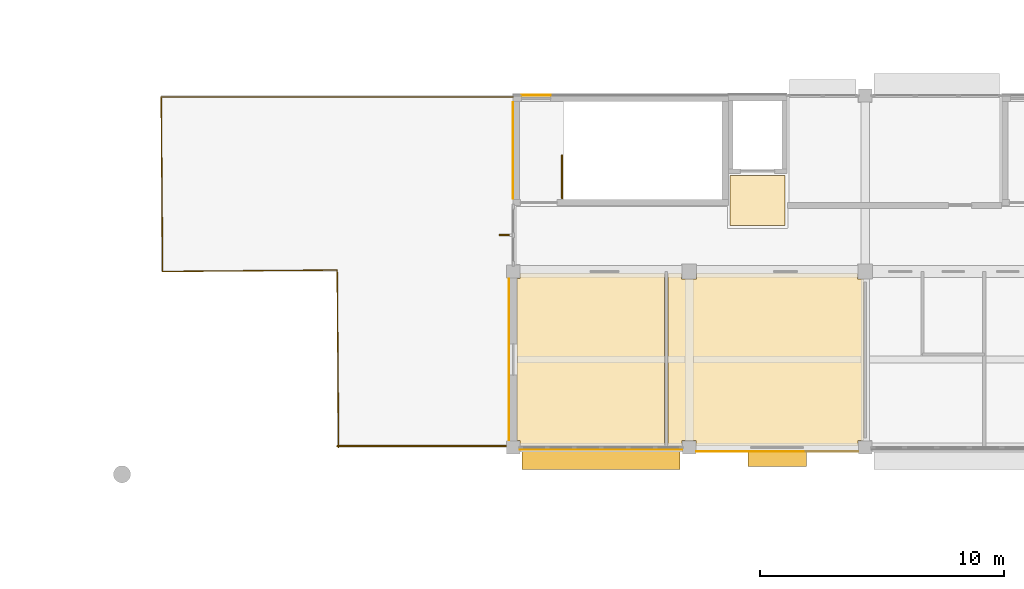
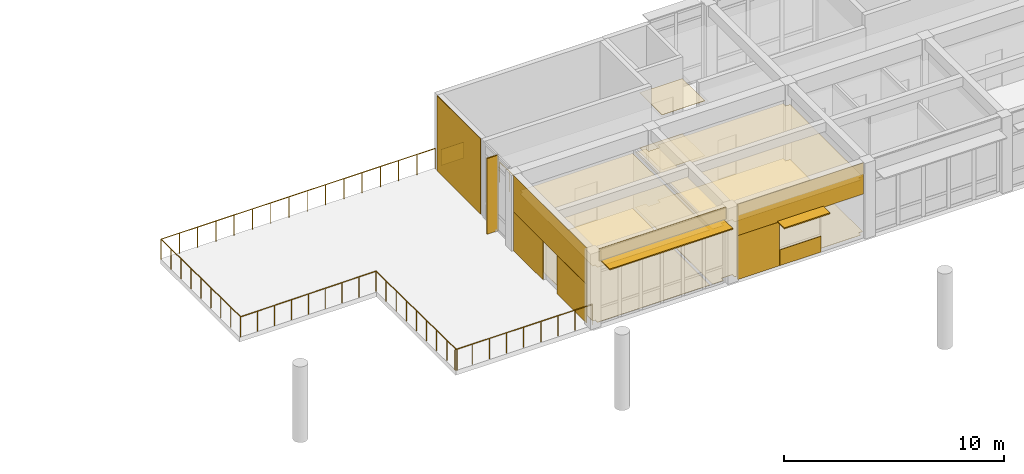
# One storey, part 29 of 41: 15 coverings, 3 railings, 3 shading devices.
"""IFC4 building model written with IfcOpenShell, lengths in metres."""

from ifc_helpers import new_model, si_unit, direction, frame, origin, origin_2d, place, context, subcontext, project, spatial, polyline, rectangle, circle, outline, extrude, material, layer, layer_set, type_object, element, save


model = new_model("IFC4")

# Units and contexts
model_context = context("Model", 3, precision=1e-05, world=origin(), true_north=direction((0.0, 1.0)))
body_context = subcontext(model_context, "Body", "Model", "MODEL_VIEW")
ifc_project = project(units=[si_unit("LENGTHUNIT", "METRE"), si_unit("AREAUNIT", "SQUARE_METRE"), si_unit("VOLUMEUNIT", "CUBIC_METRE"), si_unit("PLANEANGLEUNIT", "RADIAN"), si_unit("MASSUNIT", "GRAM", prefix="KILO")], contexts=[model_context])

# Site, building, storey
site_placement = place(None, origin())
site = spatial("IfcSite", under=ifc_project, at=site_placement, CompositionType="ELEMENT")
building_placement = place(site_placement, origin())
building = spatial("IfcBuilding", under=site, at=building_placement, Name="Namkhue Oval Health Centre", CompositionType="ELEMENT")
storey_placement = place(building_placement, frame((0.0, 0.0, 13.800048828125)))
storey = spatial("IfcBuildingStorey", under=building, at=storey_placement, Name="L03", CompositionType="ELEMENT", Elevation=13.800048828125)

# Coverings
ifc_material_1 = material(Name="Acoustic mineral-fibre cleanroom ceiling", Category="gypsum")
ifc_layer_1 = layer(ifc_material_1, 0.02001953125)
ifc_layer_set_1 = layer_set([ifc_layer_1], Name="Acoustic mineral-fibre cleanroom ceiling")
covering_type_1 = type_object("IfcCoveringType", Name="ACOUSTIC CLEANROOM CEILING 20", PredefinedType="CEILING", material=ifc_layer_set_1)
covering_1_placement = place(storey_placement, frame((0.0, 0.0, 3.050048828125)))
element("IfcCovering", 1, at=covering_1_placement, inside=storey, type_object=covering_type_1, Name="Acoustic Ceiling L03-LL5 Lift Lobby LF-05", PredefinedType="CEILING", context=body_context, shape_type="SweptSolid", body=[
    extrude(outline(polyline([(66.47998046875, 23.47998046875), (66.47998046875, 25.52001953125), (68.719970703125, 25.52001953125), (68.719970703125, 23.47998046875), (66.47998046875, 23.47998046875)])), origin(), (0.0, 0.0, 1.0), 0.02001953125),
])
covering_2_placement = place(storey_placement, frame((0.0, 0.0, 3.050048828125)))
element("IfcCovering", 2, at=covering_2_placement, inside=storey, type_object=covering_type_1, Name="Acoustic Ceiling L03-401 Surgical Terrace Staff Lounge", PredefinedType="CEILING", context=body_context, shape_type="SweptSolid", body=[
    extrude(outline(polyline([(57.885009765625, 14.485107421875), (57.885009765625, 14.68505859375), (57.7548828125, 14.68505859375), (57.7548828125, 21.31494140625), (57.885009765625, 21.31494140625), (57.885009765625, 21.52001953125), (63.7939453125, 21.52001953125), (63.7939453125, 14.485107421875), (57.885009765625, 14.485107421875)])), origin(), (0.0, 0.0, 1.0), 0.02001953125),
])
covering_3_placement = place(storey_placement, frame((0.0, 0.0, 3.050048828125)))
element("IfcCovering", 3, at=covering_3_placement, inside=storey, type_object=covering_type_1, Name="Acoustic Ceiling L03-402 Surgical HEPA Air Handling Plant", PredefinedType="CEILING", context=body_context, shape_type="SweptSolid", body=[
    extrude(outline(polyline([(65.0849609375, 14.485107421875), (65.0849609375, 14.68505859375), (64.514892578125, 14.68505859375), (64.514892578125, 14.485107421875), (63.93408203125, 14.485107421875), (63.93408203125, 21.52001953125), (64.489990234375, 21.52001953125), (64.489990234375, 21.2900390625), (65.110107421875, 21.2900390625), (65.110107421875, 21.52001953125), (71.68994140625, 21.52001953125), (71.68994140625, 21.2900390625), (71.929931640625, 21.2900390625), (71.929931640625, 14.68505859375), (71.715087890625, 14.68505859375), (71.715087890625, 14.485107421875), (65.0849609375, 14.485107421875)])), origin(), (0.0, 0.0, 1.0), 0.02001953125),
])
ifc_material_2 = material(Name="Homogeneous anti-bacterial clinical vinyl flooring", Category="plastic")
ifc_layer_2 = layer(ifc_material_2, 0.014892578125)
ifc_layer_set_2 = layer_set([ifc_layer_2], Name="Homogeneous anti-bacterial clinical vinyl flooring")
covering_type_2 = type_object("IfcCoveringType", Name="CLINICAL ANTIBACTERIAL VINYL FLOORING 15", PredefinedType="FLOORING", material=ifc_layer_set_2)
covering_4_placement = place(storey_placement, origin())
element("IfcCovering", 4, at=covering_4_placement, inside=storey, type_object=covering_type_2, Name="Clinical Flooring L03-LL5 Lift Lobby LF-05", PredefinedType="FLOORING", context=body_context, shape_type="SweptSolid", body=[
    extrude(outline(polyline([(66.47998046875, 23.47998046875), (66.47998046875, 25.52001953125), (68.719970703125, 25.52001953125), (68.719970703125, 23.47998046875), (66.47998046875, 23.47998046875)])), origin(), (0.0, 0.0, 1.0), 0.014892578125),
])
covering_5_placement = place(storey_placement, origin())
element("IfcCovering", 5, at=covering_5_placement, inside=storey, type_object=covering_type_2, Name="Clinical Flooring L03-401 Surgical Terrace Staff Lounge", PredefinedType="FLOORING", context=body_context, shape_type="SweptSolid", body=[
    extrude(outline(polyline([(57.885009765625, 14.485107421875), (57.885009765625, 14.68505859375), (57.7548828125, 14.68505859375), (57.7548828125, 21.31494140625), (57.885009765625, 21.31494140625), (57.885009765625, 21.52001953125), (63.7939453125, 21.52001953125), (63.7939453125, 14.485107421875), (57.885009765625, 14.485107421875)])), origin(), (0.0, 0.0, 1.0), 0.014892578125),
])
covering_6_placement = place(storey_placement, origin())
element("IfcCovering", 6, at=covering_6_placement, inside=storey, type_object=covering_type_2, Name="Clinical Flooring L03-402 Surgical HEPA Air Handling Plant", PredefinedType="FLOORING", context=body_context, shape_type="SweptSolid", body=[
    extrude(outline(polyline([(65.0849609375, 14.485107421875), (65.0849609375, 14.68505859375), (64.514892578125, 14.68505859375), (64.514892578125, 14.485107421875), (63.93408203125, 14.485107421875), (63.93408203125, 21.52001953125), (64.489990234375, 21.52001953125), (64.489990234375, 21.2900390625), (65.110107421875, 21.2900390625), (65.110107421875, 21.52001953125), (71.68994140625, 21.52001953125), (71.68994140625, 21.2900390625), (71.929931640625, 21.2900390625), (71.929931640625, 14.68505859375), (71.715087890625, 14.68505859375), (71.715087890625, 14.485107421875), (65.0849609375, 14.485107421875)])), origin(), (0.0, 0.0, 1.0), 0.014892578125),
])

# Railings
ifc_material_3 = material(Name="Brushed stainless steel 316L balustrade with laminated glass infill", Category="steel")
railing_type_1 = type_object("IfcRailingType", Name="EXTERIOR BALUSTRADE GUARD 1150", PredefinedType="BALUSTRADE", material=ifc_material_3)
railing_1_placement = place(storey_placement, frame((50.39990234375, 14.4599609375, 0.0)))
element("IfcRailing", 7, at=railing_1_placement, inside=storey, type_object=railing_type_1, Name="Volume V4 L03 Terrace Balustrade Guard 1", PredefinedType="BALUSTRADE", context=body_context, shape_type="SweptSolid", body=[
    extrude(circle(Radius=0.02392578125, at=origin_2d()), frame((0.0, 0.0, 1.1259765625), z_axis=(1.0, 0.0, 0.0), x_axis=(0.0, 1.0, 0.0)), (0.0, 0.0, 1.0), 7.2001953125),
    extrude(circle(Radius=0.02099609375, at=origin_2d()), origin(), (0.0, 0.0, 1.0), 1.101806640625),
    extrude(circle(Radius=0.02099609375, at=origin_2d()), frame((0.89990234375, 0.0, 0.0)), (0.0, 0.0, 1.0), 1.101806640625),
    extrude(circle(Radius=0.02099609375, at=origin_2d()), frame((1.800048828125, 0.0, 0.0)), (0.0, 0.0, 1.0), 1.101806640625),
    extrude(circle(Radius=0.02099609375, at=origin_2d()), frame((2.7001953125, 0.0, 0.0)), (0.0, 0.0, 1.0), 1.101806640625),
    extrude(circle(Radius=0.02099609375, at=origin_2d()), frame((3.60009765625, 0.0, 0.0)), (0.0, 0.0, 1.0), 1.101806640625),
    extrude(circle(Radius=0.02099609375, at=origin_2d()), frame((4.5, 0.0, 0.0)), (0.0, 0.0, 1.0), 1.101806640625),
    extrude(circle(Radius=0.02099609375, at=origin_2d()), frame((5.400146484375, 0.0, 0.0)), (0.0, 0.0, 1.0), 1.101806640625),
    extrude(circle(Radius=0.02099609375, at=origin_2d()), frame((6.30029296875, 0.0, 0.0)), (0.0, 0.0, 1.0), 1.101806640625),
    extrude(circle(Radius=0.02099609375, at=origin_2d()), frame((7.2001953125, 0.0, 0.0)), (0.0, 0.0, 1.0), 1.101806640625),
])
railing_2_placement = place(storey_placement, frame((57.60009765625, 28.739990234375, 0.0)))
element("IfcRailing", 8, at=railing_2_placement, inside=storey, type_object=railing_type_1, Name="Volume V4 L03 Terrace Balustrade Guard 2", PredefinedType="BALUSTRADE", context=body_context, shape_type="SweptSolid", body=[
    extrude(circle(Radius=0.02392578125, at=origin_2d()), frame((0.0, 0.0, 1.1259765625), z_axis=(-1.0, 0.0, 0.0), x_axis=(0.0, -1.0, 0.0)), (0.0, 0.0, 1.0), 14.400146484375),
    extrude(circle(Radius=0.02392578125, at=origin_2d()), frame((-14.400146484375, 0.0, 1.1259765625), z_axis=(0.008411396731, -0.999964623577, 0.0), x_axis=(0.999964623577, 0.008411396731, 0.0)), (0.0, 0.0, 1.0), 7.14013671875),
    extrude(circle(Radius=0.02392578125, at=origin_2d()), frame((-14.340087890625, -7.139892578125, 1.1259765625), z_axis=(0.99996491059, 0.008377206466, 0.0), x_axis=(-0.008377206466, 0.99996491059, 0.0)), (0.0, 0.0, 1.0), 7.14013671875),
    extrude(circle(Radius=0.02392578125, at=origin_2d()), frame((-7.2001953125, -7.080078125, 1.1259765625), z_axis=(0.008272239398, -0.999965784442, 0.0), x_axis=(0.999965784442, 0.008272239398, 0.0)), (0.0, 0.0, 1.0), 7.26025390625),
    extrude(circle(Radius=0.02099609375, at=origin_2d()), origin(), (0.0, 0.0, 1.0), 1.101806640625),
    extrude(circle(Radius=0.02099609375, at=origin_2d()), frame((-0.9599609375, 0.0, 0.0)), (0.0, 0.0, 1.0), 1.101806640625),
    extrude(circle(Radius=0.02099609375, at=origin_2d()), frame((-1.919921875, 0.0, 0.0)), (0.0, 0.0, 1.0), 1.101806640625),
    extrude(circle(Radius=0.02099609375, at=origin_2d()), frame((-2.880126953125, 0.0, 0.0)), (0.0, 0.0, 1.0), 1.101806640625),
    extrude(circle(Radius=0.02099609375, at=origin_2d()), frame((-3.840087890625, 0.0, 0.0)), (0.0, 0.0, 1.0), 1.101806640625),
    extrude(circle(Radius=0.02099609375, at=origin_2d()), frame((-4.800048828125, 0.0, 0.0)), (0.0, 0.0, 1.0), 1.101806640625),
    extrude(circle(Radius=0.02099609375, at=origin_2d()), frame((-5.760009765625, 0.0, 0.0)), (0.0, 0.0, 1.0), 1.101806640625),
    extrude(circle(Radius=0.02099609375, at=origin_2d()), frame((-6.719970703125, 0.0, 0.0)), (0.0, 0.0, 1.0), 1.101806640625),
    extrude(circle(Radius=0.02099609375, at=origin_2d()), frame((-7.68017578125, 0.0, 0.0)), (0.0, 0.0, 1.0), 1.101806640625),
    extrude(circle(Radius=0.02099609375, at=origin_2d()), frame((-8.64013671875, 0.0, 0.0)), (0.0, 0.0, 1.0), 1.101806640625),
    extrude(circle(Radius=0.02099609375, at=origin_2d()), frame((-9.60009765625, 0.0, 0.0)), (0.0, 0.0, 1.0), 1.101806640625),
    extrude(circle(Radius=0.02099609375, at=origin_2d()), frame((-10.56005859375, 0.0, 0.0)), (0.0, 0.0, 1.0), 1.101806640625),
    extrude(circle(Radius=0.02099609375, at=origin_2d()), frame((-11.52001953125, 0.0, 0.0)), (0.0, 0.0, 1.0), 1.101806640625),
    extrude(circle(Radius=0.02099609375, at=origin_2d()), frame((-12.480224609375, 0.0, 0.0)), (0.0, 0.0, 1.0), 1.101806640625),
    extrude(circle(Radius=0.02099609375, at=origin_2d()), frame((-13.440185546875, 0.0, 0.0)), (0.0, 0.0, 1.0), 1.101806640625),
    extrude(circle(Radius=0.02099609375, at=origin_2d()), frame((-14.400146484375, 0.0, 0.0)), (0.0, 0.0, 1.0), 1.101806640625),
    extrude(circle(Radius=0.02099609375, at=origin_2d()), frame((-14.392578125, -0.892578125, 0.0)), (0.0, 0.0, 1.0), 1.101806640625),
    extrude(circle(Radius=0.02099609375, at=origin_2d()), frame((-14.38525390625, -1.784912109375, 0.0)), (0.0, 0.0, 1.0), 1.101806640625),
    extrude(circle(Radius=0.02099609375, at=origin_2d()), frame((-14.377685546875, -2.677490234375, 0.0)), (0.0, 0.0, 1.0), 1.101806640625),
    extrude(circle(Radius=0.02099609375, at=origin_2d()), frame((-14.3701171875, -3.56982421875, 0.0)), (0.0, 0.0, 1.0), 1.101806640625),
    extrude(circle(Radius=0.02099609375, at=origin_2d()), frame((-14.362548828125, -4.46240234375, 0.0)), (0.0, 0.0, 1.0), 1.101806640625),
    extrude(circle(Radius=0.02099609375, at=origin_2d()), frame((-14.35498046875, -5.35498046875, 0.0)), (0.0, 0.0, 1.0), 1.101806640625),
    extrude(circle(Radius=0.02099609375, at=origin_2d()), frame((-14.34765625, -6.247314453125, 0.0)), (0.0, 0.0, 1.0), 1.101806640625),
    extrude(circle(Radius=0.02099609375, at=origin_2d()), frame((-14.340087890625, -7.139892578125, 0.0)), (0.0, 0.0, 1.0), 1.101806640625),
    extrude(circle(Radius=0.02099609375, at=origin_2d()), frame((-13.447509765625, -7.13232421875, 0.0)), (0.0, 0.0, 1.0), 1.101806640625),
    extrude(circle(Radius=0.02099609375, at=origin_2d()), frame((-12.55517578125, -7.125, 0.0)), (0.0, 0.0, 1.0), 1.101806640625),
    extrude(circle(Radius=0.02099609375, at=origin_2d()), frame((-11.66259765625, -7.117431640625, 0.0)), (0.0, 0.0, 1.0), 1.101806640625),
    extrude(circle(Radius=0.02099609375, at=origin_2d()), frame((-10.77001953125, -7.10986328125, 0.0)), (0.0, 0.0, 1.0), 1.101806640625),
    extrude(circle(Radius=0.02099609375, at=origin_2d()), frame((-9.877685546875, -7.1025390625, 0.0)), (0.0, 0.0, 1.0), 1.101806640625),
    extrude(circle(Radius=0.02099609375, at=origin_2d()), frame((-8.985107421875, -7.094970703125, 0.0)), (0.0, 0.0, 1.0), 1.101806640625),
    extrude(circle(Radius=0.02099609375, at=origin_2d()), frame((-8.0927734375, -7.087646484375, 0.0)), (0.0, 0.0, 1.0), 1.101806640625),
    extrude(circle(Radius=0.02099609375, at=origin_2d()), frame((-7.2001953125, -7.080078125, 0.0)), (0.0, 0.0, 1.0), 1.101806640625),
    extrude(circle(Radius=0.02099609375, at=origin_2d()), frame((-7.192626953125, -7.987548828125, 0.0)), (0.0, 0.0, 1.0), 1.101806640625),
    extrude(circle(Radius=0.02099609375, at=origin_2d()), frame((-7.18505859375, -8.89501953125, 0.0)), (0.0, 0.0, 1.0), 1.101806640625),
    extrude(circle(Radius=0.02099609375, at=origin_2d()), frame((-7.177734375, -9.802490234375, 0.0)), (0.0, 0.0, 1.0), 1.101806640625),
    extrude(circle(Radius=0.02099609375, at=origin_2d()), frame((-7.170166015625, -10.7099609375, 0.0)), (0.0, 0.0, 1.0), 1.101806640625),
    extrude(circle(Radius=0.02099609375, at=origin_2d()), frame((-7.16259765625, -11.61767578125, 0.0)), (0.0, 0.0, 1.0), 1.101806640625),
    extrude(circle(Radius=0.02099609375, at=origin_2d()), frame((-7.1552734375, -12.525146484375, 0.0)), (0.0, 0.0, 1.0), 1.101806640625),
    extrude(circle(Radius=0.02099609375, at=origin_2d()), frame((-7.147705078125, -13.4326171875, 0.0)), (0.0, 0.0, 1.0), 1.101806640625),
    extrude(circle(Radius=0.02099609375, at=origin_2d()), frame((-7.14013671875, -14.340087890625, 0.0)), (0.0, 0.0, 1.0), 1.101806640625),
])
railing_type_2 = type_object("IfcRailingType", Name="INTERIOR BALUSTRADE GUARD 1150", PredefinedType="BALUSTRADE", material=ifc_material_3)
railing_3_placement = place(storey_placement, frame((59.60009765625, 24.590087890625, 0.0)))
element("IfcRailing", 9, at=railing_3_placement, inside=storey, type_object=railing_type_2, Name="Stair ST-07 L03 Landing Well Edge Guard", PredefinedType="BALUSTRADE", context=body_context, shape_type="SweptSolid", body=[
    extrude(circle(Radius=0.02392578125, at=origin_2d()), frame((0.0, 0.0, 1.1259765625), z_axis=(0.0, 1.0, 0.0), x_axis=(-1.0, 0.0, 0.0)), (0.0, 0.0, 1.0), 1.77001953125),
    extrude(circle(Radius=0.02099609375, at=origin_2d()), origin(), (0.0, 0.0, 1.0), 1.101806640625),
    extrude(circle(Radius=0.02099609375, at=origin_2d()), frame((0.0, 0.885009765625, 0.0)), (0.0, 0.0, 1.0), 1.101806640625),
    extrude(circle(Radius=0.02099609375, at=origin_2d()), frame((0.0, 1.77001953125, 0.0)), (0.0, 0.0, 1.0), 1.101806640625),
])

# Shading devices
ifc_material_4 = material(Name="Anodised aluminium EN AW-6063 T6", Category="aluminium")
ifc_layer_3 = layer(ifc_material_4, 0.06005859375)
ifc_layer_set_3 = layer_set([ifc_layer_3], Name="Anodised aluminium EN AW-6063 T6")
shading_device_type_1 = type_object("IfcShadingDeviceType", Name="MONSOON SUN LOUVRE 900", PredefinedType="JALOUSIE", material=ifc_layer_set_3)
shading_device_1_placement = place(storey_placement, frame((61.199951171875, 13.949951171875, 3.47998046875), z_axis=(0.0, 0.0, 1.0), x_axis=(1.0, 0.0, 0.0)))
element("IfcShadingDevice", 10, at=shading_device_1_placement, inside=storey, type_object=shading_device_type_1, Name="Volume V4 L03 Horizontal Monsoon Sun Louvre 228", PredefinedType="JALOUSIE", context=body_context, shape_type="SweptSolid", body=[
    extrude(rectangle(XDim=6.4580078125, YDim=0.89990234375, at=origin_2d()), origin(), (0.0, 0.0, 1.0), 0.06005859375),
])
ifc_layer_4 = layer(ifc_material_4, 0.050048828125)
ifc_layer_set_4 = layer_set([ifc_layer_4], Name="Anodised aluminium EN AW-6063 T6")
shading_device_type_2 = type_object("IfcShadingDeviceType", Name="STORM SHUTTER LOUVRE 650", PredefinedType="SHUTTER", material=ifc_layer_set_4)
shading_device_2_placement = place(storey_placement, frame((68.39990234375, 13.93994140625, 2.4599609375), z_axis=(0.0, 0.0, 1.0), x_axis=(1.0, 0.0, 0.0)))
element("IfcShadingDevice", 11, at=shading_device_2_placement, inside=storey, type_object=shading_device_type_2, Name="Volume V4 L03 Window Monsoon Louvre 229", PredefinedType="SHUTTER", context=body_context, shape_type="SweptSolid", body=[
    extrude(rectangle(XDim=2.389892578125, YDim=0.64990234375, at=origin_2d()), origin(), (0.0, 0.0, 1.0), 0.06005859375),
])
shading_device_type_3 = type_object("IfcShadingDeviceType", Name="VERTICAL SOLAR FIN 600", PredefinedType="USERDEFINED", material=ifc_material_4)
shading_device_3_placement = place(storey_placement, frame((57.340087890625, 23.08447265625, 0.0), z_axis=(0.0, 0.0, 1.0), x_axis=(-1.0, 0.0, 0.0)))
element("IfcShadingDevice", 12, at=shading_device_3_placement, inside=storey, type_object=shading_device_type_3, Name="Volume V4 L03 Extruded Aluminium Solar Fin 236", ObjectType="SOLAR FIN", PredefinedType="USERDEFINED", context=body_context, shape_type="SweptSolid", body=[
    extrude(rectangle(XDim=0.60009765625, YDim=0.06005859375, at=origin_2d()), origin(), (0.0, 0.0, 1.0), 4.199951171875),
])

# Coverings
ifc_material_5 = material(Name="White glass-fibre reinforced concrete GRC rainscreen cladding", Category="concrete")
ifc_layer_5 = layer(ifc_material_5, 0.02490234375)
ifc_layer_set_5 = layer_set([ifc_layer_5], Name="White glass-fibre reinforced concrete GRC rainscreen cladding")
covering_type_3 = type_object("IfcCoveringType", Name="WHITE GRC RAINSCREEN CLADDING 25", PredefinedType="CLADDING", material=ifc_layer_set_5)
covering_7_placement = place(storey_placement, frame((61.199951171875, 14.3115234375, 3.534912109375), z_axis=(0.0, 0.0, 1.0), x_axis=(1.0, 0.0, 0.0)))
element("IfcCovering", 13, at=covering_7_placement, inside=storey, type_object=covering_type_3, Name="Volume V4 L03 Curtain Wall Spandrel Cladding 169", PredefinedType="CLADDING", context=body_context, shape_type="SweptSolid", body=[
    extrude(rectangle(XDim=6.64794921875, YDim=0.02490234375, at=origin_2d()), origin(), (0.0, 0.0, 1.0), 0.6650390625),
])
covering_8_placement = place(storey_placement, frame((68.39990234375, 14.242919921875, 2.455078125), z_axis=(0.0, 0.0, 1.0), x_axis=(1.0, 0.0, 0.0)))
element("IfcCovering", 14, at=covering_8_placement, inside=storey, type_object=covering_type_3, Name="Volume V4 L03 Facade 108 White GRC Cladding 1", PredefinedType="CLADDING", context=body_context, shape_type="SweptSolid", body=[
    extrude(rectangle(XDim=6.617919921875, YDim=0.02490234375, at=origin_2d()), origin(), (0.0, 0.0, 1.0), 1.735107421875),
])
covering_9_placement = place(storey_placement, frame((66.200439453125, 14.242919921875, 0.010009765625), z_axis=(0.0, 0.0, 1.0), x_axis=(1.0, 0.0, 0.0)))
element("IfcCovering", 15, at=covering_9_placement, inside=storey, type_object=covering_type_3, Name="Volume V4 L03 Facade 108 White GRC Cladding 2", PredefinedType="CLADDING", context=body_context, shape_type="SweptSolid", body=[
    extrude(rectangle(XDim=2.218994140625, YDim=0.02490234375, at=origin_2d()), origin(), (0.0, 0.0, 1.0), 2.43994140625),
])
covering_10_placement = place(storey_placement, frame((68.39990234375, 14.242919921875, 0.010009765625), z_axis=(0.0, 0.0, 1.0), x_axis=(1.0, 0.0, 0.0)))
element("IfcCovering", 16, at=covering_10_placement, inside=storey, type_object=covering_type_3, Name="Volume V4 L03 Facade 108 White GRC Cladding 3", PredefinedType="CLADDING", context=body_context, shape_type="SweptSolid", body=[
    extrude(rectangle(XDim=2.169921875, YDim=0.02490234375, at=origin_2d()), origin(), (0.0, 0.0, 1.0), 0.875),
])
covering_11_placement = place(storey_placement, frame((57.43798828125, 18.0, 2.1650390625), z_axis=(0.0, 0.0, 1.0), x_axis=(0.0, -1.0, 0.0)))
element("IfcCovering", 17, at=covering_11_placement, inside=storey, type_object=covering_type_3, Name="Volume V4 L03 Facade 109 White GRC Cladding 1", PredefinedType="CLADDING", context=body_context, shape_type="SweptSolid", body=[
    extrude(rectangle(XDim=6.617919921875, YDim=0.02490234375, at=origin_2d()), origin(), (0.0, 0.0, 1.0), 2.02490234375),
])
for number, where, z_axis, x_axis, name in (
    (18, (57.43798828125, 19.98193359375, 0.010009765625), (0.0, 0.0, 1.0), (0.0, -1.0, 0.0), "Volume V4 L03 Facade 109 White GRC Cladding 2"),
    (19, (57.43798828125, 16.01806640625, 0.010009765625), (0.0, 0.0, 1.0), (0.0, -1.0, 0.0), "Volume V4 L03 Facade 109 White GRC Cladding 3"),
):
    element("IfcCovering", number, at=place(storey_placement, frame(where, z_axis=z_axis, x_axis=x_axis)), inside=storey, type_object=covering_type_3, Name=name, PredefinedType="CLADDING", context=body_context, shape_type="SweptSolid", body=[
        extrude(rectangle(XDim=2.654052734375, YDim=0.02490234375, at=origin_2d()), origin(), (0.0, 0.0, 1.0), 2.14990234375),
    ])
covering_12_placement = place(storey_placement, frame((58.5400390625, 28.81201171875, 0.010009765625), z_axis=(0.0, 0.0, 1.0), x_axis=(-1.0, 0.0, 0.0)))
element("IfcCovering", 20, at=covering_12_placement, inside=storey, type_object=covering_type_3, Name="Core SC-07 L03 Core N White GRC Cladding 3", PredefinedType="CLADDING", context=body_context, shape_type="SweptSolid", body=[
    extrude(rectangle(XDim=1.199951171875, YDim=0.02490234375, at=origin_2d()), origin(), (0.0, 0.0, 1.0), 0.89501953125),
])
covering_13_placement = place(storey_placement, frame((57.587890625, 26.550048828125, 0.009765625), z_axis=(0.0, 0.0, 1.0), x_axis=(0.0, -1.0, 0.0)))
element("IfcCovering", 21, at=covering_13_placement, inside=storey, type_object=covering_type_3, Name="Core SC-07 L03 Core W White GRC Cladding 1", PredefinedType="CLADDING", context=body_context, shape_type="SweptSolid", body=[
    extrude(rectangle(XDim=3.9599609375, YDim=0.02490234375, at=origin_2d()), origin(), (0.0, 0.0, 1.0), 4.179931640625),
])

save(model, "model.ifc")
